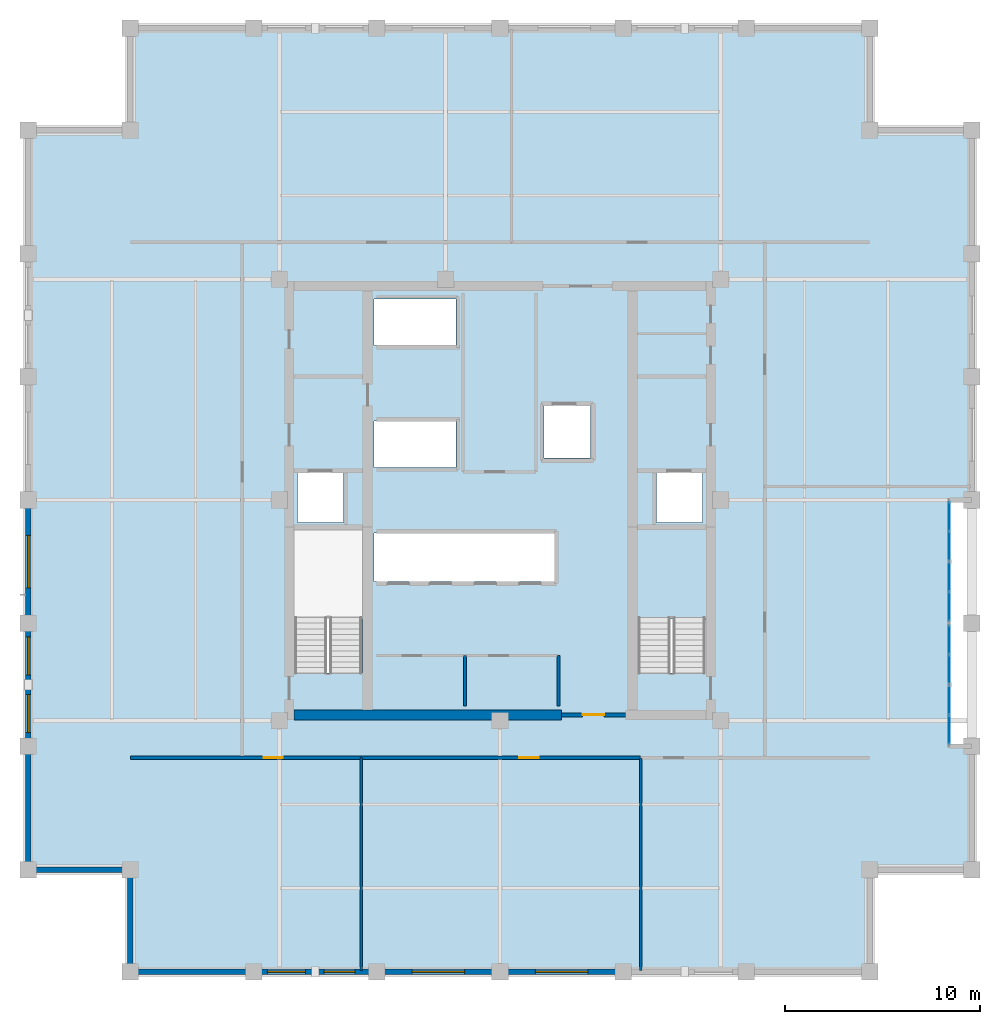
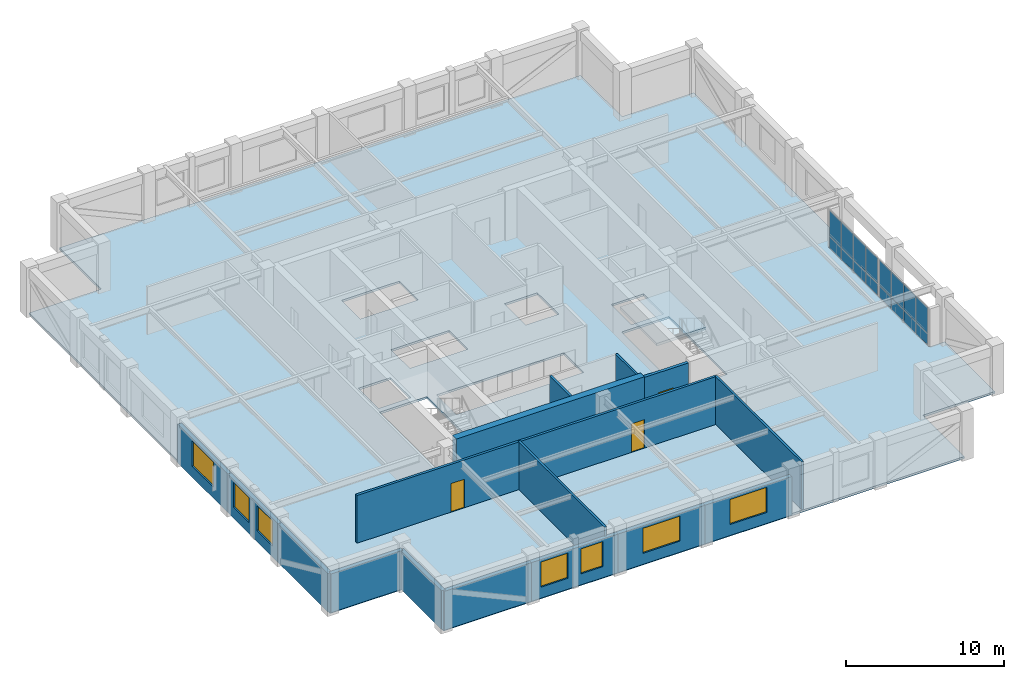
# One storey, part 5 of 10: 17 walls, 16 plates, 7 windows, 3 doors, 2 slabs, 10 openings, 3 elements without a shape of their own.
"""IFC4 building model written with IfcOpenShell, lengths in metres."""

from ifc_helpers import new_model, si_unit, direction, frame, frame_2d, origin, origin_2d, place, context, subcontext, project, spatial, polyline, rectangle, outline, extrude, material, layer, layer_set, type_object, element, fill, aggregate, save


model = new_model("IFC4")

# Units and contexts
model_context = context("Model", 3, precision=1e-05, world=origin(), true_north=direction((0.0, 1.0)))
body_context = subcontext(model_context, "Body", "Model", "MODEL_VIEW")
ifc_project = project(units=[si_unit("LENGTHUNIT", "METRE"), si_unit("AREAUNIT", "SQUARE_METRE"), si_unit("VOLUMEUNIT", "CUBIC_METRE"), si_unit("PLANEANGLEUNIT", "RADIAN"), si_unit("MASSUNIT", "GRAM", prefix="KILO")], contexts=[model_context])

# Site, building, storey
site_placement = place(None, origin())
site = spatial("IfcSite", under=ifc_project, at=site_placement, CompositionType="ELEMENT")
building_placement = place(site_placement, origin())
building = spatial("IfcBuilding", under=site, at=building_placement, Name="Nhamokura Convention Tower", CompositionType="ELEMENT")
storey_placement = place(building_placement, frame((0.0, 0.0, 236.949951171875)))
storey = spatial("IfcBuildingStorey", under=building, at=storey_placement, Name="L58", CompositionType="ELEMENT", Elevation=236.949951171875)

# Curtain wall, plates
ifc_material_1 = material(Name="Anodised bronze aluminium AA6063-T6", Category="aluminium")
ifc_layer_1 = layer(ifc_material_1, 0.155029296875)
ifc_layer_set_1 = layer_set([ifc_layer_1], Name="CWSystem_ScaleSlot_Zone3")
curtain_wall_type = type_object("IfcCurtainWallType", Name="CWSystem_ScaleSlot_Zone3", PredefinedType="NOTDEFINED", material=ifc_layer_set_1)
curtain_wall_1_placement = place(storey_placement, origin())
curtain_wall_1 = element("IfcCurtainWall", 1, at=curtain_wall_1_placement, inside=storey, type_object=curtain_wall_type, Name="L58 Curtain Wall ENV-L58-SLOT-E1", PredefinedType="NOTDEFINED")
ifc_material_2 = material(Name="Solar-control bronze low-E double glass", Category="glass")
ifc_layer_2 = layer(ifc_material_2, 0.0400390625)
ifc_layer_set_2 = layer_set([ifc_layer_2], Name="CWGlazedPanel_3")
plate_type = type_object("IfcPlateType", Name="CWGlazedPanel_3", PredefinedType="CURTAIN_PANEL", material=ifc_layer_set_2)
plate_1_placement = place(storey_placement, frame((55.10009765625, 24.813720703125, 0.06494140625), z_axis=(0.0, 0.0, 1.0), x_axis=(0.0, -1.0, 0.0)))
plate_1 = element("IfcPlate", 2, at=plate_1_placement, type_object=plate_type, Name="CW-05 panel 1.1", PredefinedType="CURTAIN_PANEL", context=body_context, shape_type="SweptSolid", body=[
    extrude(rectangle(XDim=1.455810546875, YDim=0.0400390625, at=origin_2d()), origin(), (0.0, 0.0, 1.0), 0.8525390625),
])
plate_2_placement = place(storey_placement, frame((55.10009765625, 24.813720703125, 0.982666015625), z_axis=(0.0, 0.0, 1.0), x_axis=(0.0, -1.0, 0.0)))
plate_2 = element("IfcPlate", 3, at=plate_2_placement, type_object=plate_type, Name="CW-05 panel 1.2", PredefinedType="CURTAIN_PANEL", context=body_context, shape_type="SweptSolid", body=[
    extrude(rectangle(XDim=1.455810546875, YDim=0.0400390625, at=origin_2d()), origin(), (0.0, 0.0, 1.0), 1.9375),
])
plate_3_placement = place(storey_placement, frame((55.10009765625, 23.276611328125, 0.06494140625), z_axis=(0.0, 0.0, 1.0), x_axis=(0.0, -1.0, 0.0)))
plate_3 = element("IfcPlate", 4, at=plate_3_placement, type_object=plate_type, Name="CW-05 panel 2.1", PredefinedType="CURTAIN_PANEL", context=body_context, shape_type="SweptSolid", body=[
    extrude(rectangle(XDim=1.48828125, YDim=0.0400390625, at=origin_2d()), origin(), (0.0, 0.0, 1.0), 0.8525390625),
])
plate_4_placement = place(storey_placement, frame((55.10009765625, 23.276611328125, 0.982666015625), z_axis=(0.0, 0.0, 1.0), x_axis=(0.0, -1.0, 0.0)))
plate_4 = element("IfcPlate", 5, at=plate_4_placement, type_object=plate_type, Name="CW-05 panel 2.2", PredefinedType="CURTAIN_PANEL", context=body_context, shape_type="SweptSolid", body=[
    extrude(rectangle(XDim=1.48828125, YDim=0.0400390625, at=origin_2d()), origin(), (0.0, 0.0, 1.0), 1.9375),
])
plate_5_placement = place(storey_placement, frame((55.10009765625, 21.723388671875, 0.06494140625), z_axis=(0.0, 0.0, 1.0), x_axis=(0.0, -1.0, 0.0)))
plate_5 = element("IfcPlate", 6, at=plate_5_placement, type_object=plate_type, Name="CW-05 panel 3.1", PredefinedType="CURTAIN_PANEL", context=body_context, shape_type="SweptSolid", body=[
    extrude(rectangle(XDim=1.48828125, YDim=0.0400390625, at=origin_2d()), origin(), (0.0, 0.0, 1.0), 0.8525390625),
])
plate_6_placement = place(storey_placement, frame((55.10009765625, 21.723388671875, 0.982666015625), z_axis=(0.0, 0.0, 1.0), x_axis=(0.0, -1.0, 0.0)))
plate_6 = element("IfcPlate", 7, at=plate_6_placement, type_object=plate_type, Name="CW-05 panel 3.2", PredefinedType="CURTAIN_PANEL", context=body_context, shape_type="SweptSolid", body=[
    extrude(rectangle(XDim=1.48828125, YDim=0.0400390625, at=origin_2d()), origin(), (0.0, 0.0, 1.0), 1.9375),
])
plate_7_placement = place(storey_placement, frame((55.10009765625, 20.186279296875, 0.06494140625), z_axis=(0.0, 0.0, 1.0), x_axis=(0.0, -1.0, 0.0)))
plate_7 = element("IfcPlate", 8, at=plate_7_placement, type_object=plate_type, Name="CW-05 panel 4.1", PredefinedType="CURTAIN_PANEL", context=body_context, shape_type="SweptSolid", body=[
    extrude(rectangle(XDim=1.455810546875, YDim=0.0400390625, at=origin_2d()), origin(), (0.0, 0.0, 1.0), 0.8525390625),
])
plate_8_placement = place(storey_placement, frame((55.10009765625, 20.186279296875, 0.982666015625), z_axis=(0.0, 0.0, 1.0), x_axis=(0.0, -1.0, 0.0)))
plate_8 = element("IfcPlate", 9, at=plate_8_placement, type_object=plate_type, Name="CW-05 panel 4.2", PredefinedType="CURTAIN_PANEL", context=body_context, shape_type="SweptSolid", body=[
    extrude(rectangle(XDim=1.455810546875, YDim=0.0400390625, at=origin_2d()), origin(), (0.0, 0.0, 1.0), 1.9375),
])
aggregate(curtain_wall_1, [plate_1, plate_2, plate_3, plate_4, plate_5, plate_6, plate_7, plate_8])

curtain_wall_2_placement = place(storey_placement, origin())
curtain_wall_2 = element("IfcCurtainWall", 10, at=curtain_wall_2_placement, inside=storey, type_object=curtain_wall_type, Name="L58 Curtain Wall ENV-L58-SLOT-E2", PredefinedType="NOTDEFINED")
plate_9_placement = place(storey_placement, frame((55.10009765625, 31.14697265625, 0.06494140625), z_axis=(0.0, 0.0, 1.0), x_axis=(0.0, -1.0, 0.0)))
plate_9 = element("IfcPlate", 11, at=plate_9_placement, type_object=plate_type, Name="CW-05 panel 1.1", PredefinedType="CURTAIN_PANEL", context=body_context, shape_type="SweptSolid", body=[
    extrude(rectangle(XDim=1.455810546875, YDim=0.0400390625, at=origin_2d()), origin(), (0.0, 0.0, 1.0), 0.8525390625),
])
plate_10_placement = place(storey_placement, frame((55.10009765625, 31.14697265625, 0.982666015625), z_axis=(0.0, 0.0, 1.0), x_axis=(0.0, -1.0, 0.0)))
plate_10 = element("IfcPlate", 12, at=plate_10_placement, type_object=plate_type, Name="CW-05 panel 1.2", PredefinedType="CURTAIN_PANEL", context=body_context, shape_type="SweptSolid", body=[
    extrude(rectangle(XDim=1.455810546875, YDim=0.0400390625, at=origin_2d()), origin(), (0.0, 0.0, 1.0), 1.9375),
])
plate_11_placement = place(storey_placement, frame((55.10009765625, 29.610107421875, 0.06494140625), z_axis=(0.0, 0.0, 1.0), x_axis=(0.0, -1.0, 0.0)))
plate_11 = element("IfcPlate", 13, at=plate_11_placement, type_object=plate_type, Name="CW-05 panel 2.1", PredefinedType="CURTAIN_PANEL", context=body_context, shape_type="SweptSolid", body=[
    extrude(rectangle(XDim=1.48828125, YDim=0.0400390625, at=origin_2d()), origin(), (0.0, 0.0, 1.0), 0.8525390625),
])
plate_12_placement = place(storey_placement, frame((55.10009765625, 29.610107421875, 0.982666015625), z_axis=(0.0, 0.0, 1.0), x_axis=(0.0, -1.0, 0.0)))
plate_12 = element("IfcPlate", 14, at=plate_12_placement, type_object=plate_type, Name="CW-05 panel 2.2", PredefinedType="CURTAIN_PANEL", context=body_context, shape_type="SweptSolid", body=[
    extrude(rectangle(XDim=1.48828125, YDim=0.0400390625, at=origin_2d()), origin(), (0.0, 0.0, 1.0), 1.9375),
])
plate_13_placement = place(storey_placement, frame((55.10009765625, 28.056640625, 0.06494140625), z_axis=(0.0, 0.0, 1.0), x_axis=(0.0, -1.0, 0.0)))
plate_13 = element("IfcPlate", 15, at=plate_13_placement, type_object=plate_type, Name="CW-05 panel 3.1", PredefinedType="CURTAIN_PANEL", context=body_context, shape_type="SweptSolid", body=[
    extrude(rectangle(XDim=1.48828125, YDim=0.0400390625, at=origin_2d()), origin(), (0.0, 0.0, 1.0), 0.8525390625),
])
plate_14_placement = place(storey_placement, frame((55.10009765625, 28.056640625, 0.982666015625), z_axis=(0.0, 0.0, 1.0), x_axis=(0.0, -1.0, 0.0)))
plate_14 = element("IfcPlate", 16, at=plate_14_placement, type_object=plate_type, Name="CW-05 panel 3.2", PredefinedType="CURTAIN_PANEL", context=body_context, shape_type="SweptSolid", body=[
    extrude(rectangle(XDim=1.48828125, YDim=0.0400390625, at=origin_2d()), origin(), (0.0, 0.0, 1.0), 1.9375),
])
plate_15_placement = place(storey_placement, frame((55.10009765625, 26.51953125, 0.06494140625), z_axis=(0.0, 0.0, 1.0), x_axis=(0.0, -1.0, 0.0)))
plate_15 = element("IfcPlate", 17, at=plate_15_placement, type_object=plate_type, Name="CW-05 panel 4.1", PredefinedType="CURTAIN_PANEL", context=body_context, shape_type="SweptSolid", body=[
    extrude(rectangle(XDim=1.455810546875, YDim=0.0400390625, at=origin_2d()), origin(), (0.0, 0.0, 1.0), 0.8525390625),
])
plate_16_placement = place(storey_placement, frame((55.10009765625, 26.51953125, 0.982666015625), z_axis=(0.0, 0.0, 1.0), x_axis=(0.0, -1.0, 0.0)))
plate_16 = element("IfcPlate", 18, at=plate_16_placement, type_object=plate_type, Name="CW-05 panel 4.2", PredefinedType="CURTAIN_PANEL", context=body_context, shape_type="SweptSolid", body=[
    extrude(rectangle(XDim=1.455810546875, YDim=0.0400390625, at=origin_2d()), origin(), (0.0, 0.0, 1.0), 1.9375),
])
aggregate(curtain_wall_2, [plate_9, plate_10, plate_11, plate_12, plate_13, plate_14, plate_15, plate_16])

# Slab
ifc_material_3 = material(Name="Concrete C40/50", Category="concrete")
ifc_layer_3 = layer(ifc_material_3, 0.1650390625)
ifc_layer_set_3 = layer_set([ifc_layer_3], Name="OfficeFloorSlab_165")
slab_type_1 = type_object("IfcSlabType", Name="OfficeFloorSlab_165", PredefinedType="FLOOR", material=ifc_layer_set_3)
slab_1_placement = place(storey_placement, frame((0.0, 0.0, -0.1650390625)))
element("IfcSlab", 19, at=slab_1_placement, inside=storey, type_object=slab_type_1, Name="L58 Structural Floor Slab", PredefinedType="FLOOR", context=body_context, shape_type="SweptSolid", body=[
    extrude(outline(polyline([(13.0, 7.75), (51.0, 7.75), (51.0, 13.0), (56.25, 13.0), (56.25, 19.333251953125), (55.10009765625, 19.333251953125), (55.10009765625, 32.0), (56.25, 32.0), (56.25, 51.0), (51.0, 51.0), (51.0, 56.25), (13.0, 56.25), (13.0, 51.0), (7.75, 51.0), (7.75, 13.0), (13.0, 13.0), (13.0, 7.75)]), holes=[polyline([(24.89990234375, 23.10009765625), (24.89990234375, 30.449951171875), (21.449951171875, 30.449951171875), (21.449951171875, 23.10009765625), (24.89990234375, 23.10009765625)]), polyline([(42.550048828125, 23.10009765625), (42.550048828125, 30.449951171875), (39.10009765625, 30.449951171875), (39.10009765625, 23.10009765625), (42.550048828125, 23.10009765625)]), polyline([(21.60009765625, 30.85009765625), (23.949951171875, 30.85009765625), (23.949951171875, 33.39990234375), (21.60009765625, 33.39990234375), (21.60009765625, 30.85009765625)]), polyline([(40.050048828125, 30.85009765625), (42.39990234375, 30.85009765625), (42.39990234375, 33.39990234375), (40.050048828125, 33.39990234375), (40.050048828125, 30.85009765625)]), polyline([(34.25, 34.14990234375), (36.64990234375, 34.14990234375), (36.64990234375, 36.85009765625), (34.25, 36.85009765625), (34.25, 34.14990234375)]), polyline([(25.52001953125, 27.800048828125), (34.800048828125, 27.800048828125), (34.800048828125, 30.300048828125), (25.52001953125, 30.300048828125), (25.52001953125, 27.800048828125)]), polyline([(25.52001953125, 33.679931640625), (29.75, 33.679931640625), (29.75, 36.050048828125), (25.52001953125, 36.050048828125), (25.52001953125, 33.679931640625)]), polyline([(25.52001953125, 39.949951171875), (29.75, 39.949951171875), (29.75, 42.320068359375), (25.52001953125, 42.320068359375), (25.52001953125, 39.949951171875)])]), origin(), (0.0, 0.0, 1.0), 0.1650390625),
])

# Stair, slab
ifc_material_4 = material(Name="Concrete C40/50", Category="concrete")
stair_type = type_object("IfcStairType", Name="TowerCoreStair_1650", PredefinedType="HALF_TURN_STAIR", material=ifc_material_4)
stair_placement = place(storey_placement, origin())
stair = element("IfcStair", 20, at=stair_placement, inside=storey, type_object=stair_type, Name="L58 East Core Smokeproof Stair ST-02", PredefinedType="HALF_TURN_STAIR")
ifc_material_5 = material(Name="Concrete C40/50", Category="concrete")
ifc_layer_4 = layer(ifc_material_5, 0.199951171875)
ifc_layer_set_4 = layer_set([ifc_layer_4], Name="StairLandingSlab_200")
slab_type_2 = type_object("IfcSlabType", Name="StairLandingSlab_200", PredefinedType="LANDING", material=ifc_layer_set_4)
slab_2_placement = place(storey_placement, frame((0.0, 0.0, 1.72509765625)))
slab_2 = element("IfcSlab", 21, at=slab_2_placement, type_object=slab_type_2, Name="ST-02 landing 1", PredefinedType="LANDING", context=body_context, shape_type="SweptSolid", body=[
    extrude(outline(polyline([(42.6298828125, 25.8701171875), (42.6298828125, 30.530029296875), (39.02001953125, 30.530029296875), (39.02001953125, 25.8701171875), (42.6298828125, 25.8701171875)])), origin(), (0.0, 0.0, 1.0), 0.199951171875),
])
aggregate(stair, [slab_2])

# Wall
ifc_material_6 = material(Name="Bronze-pigmented precast concrete C45/55", Category="concrete")
ifc_layer_5 = layer(ifc_material_6, 0.280029296875)
ifc_layer_set_5 = layer_set([ifc_layer_5], Name="BronzePrecastSpandrel_280")
wall_type_1 = type_object("IfcWallType", Name="BronzePrecastSpandrel_280", PredefinedType="USERDEFINED", material=ifc_layer_set_5)
wall_1_placement = place(storey_placement, frame((19.333251953125, 7.75, 0.0), z_axis=(0.0, 0.0, 1.0), x_axis=(-1.0, 0.0, 0.0)))
element("IfcWall", 22, at=wall_1_placement, inside=storey, type_object=wall_type_1, Name="L58 Braced-Bay Precast Wall SOUTH 0", ObjectType="SPANDREL_WALL", PredefinedType="USERDEFINED", context=body_context, shape_type="SweptSolid", body=[
    extrude(rectangle(XDim=6.333251953125, YDim=0.280029296875, at=frame_2d((3.16650390625, 0.0))), origin(), (0.0, 0.0, 1.0), 2.985107421875),
])

# Wall, openings, windows
wall_2_placement = place(storey_placement, frame((25.666748046875, 7.75, 0.0), z_axis=(0.0, 0.0, 1.0), x_axis=(-1.0, 0.0, 0.0)))
wall_2 = element("IfcWall", 23, at=wall_2_placement, inside=storey, type_object=wall_type_1, Name="L58 Masonry-Frame Wall SOUTH 1", ObjectType="SPANDREL_WALL", PredefinedType="USERDEFINED", context=body_context, shape_type="SweptSolid", body=[
    extrude(rectangle(XDim=6.33349609375, YDim=0.280029296875, at=frame_2d((3.166748046875, 0.0))), origin(), (0.0, 0.0, 1.0), 2.985107421875),
])
opening_1_placement = place(wall_2_placement, frame((1.120849609375, 0.0, 0.85009765625)))
opening_1 = element("IfcOpeningElement", 24, at=opening_1_placement, cuts=wall_2, Name="Opening W-11", PredefinedType="OPENING", context=body_context, shape_type="SweptSolid", body=[
    extrude(rectangle(XDim=1.60009765625, YDim=1.93505859375, at=frame_2d((0.800048828125, 0.967529296875))), frame((0.0, 0.14990234375, 0.0), z_axis=(0.0, -1.0, 0.0), x_axis=(1.0, 0.0, 0.0)), (0.0, 0.0, 1.0), 0.300048828125),
])
opening_2_placement = place(wall_2_placement, frame((3.675048828125, 0.0, 0.85009765625)))
opening_2 = element("IfcOpeningElement", 25, at=opening_2_placement, cuts=wall_2, Name="Opening W-08", PredefinedType="OPENING", context=body_context, shape_type="SweptSolid", body=[
    extrude(rectangle(XDim=1.949951171875, YDim=1.93505859375, at=frame_2d((0.97509765625, 0.967529296875))), frame((0.0, 0.14990234375, 0.0), z_axis=(0.0, -1.0, 0.0), x_axis=(1.0, 0.0, 0.0)), (0.0, 0.0, 1.0), 0.300048828125),
])
ifc_material_7 = material(Name="Solar-control bronze low-E double glass", Category="glass")
window_type_1 = type_object("IfcWindowType", Name="NotchCornerWindow_1600", PartitioningType="SINGLE_PANEL", PredefinedType="WINDOW", material=ifc_material_7)
window_1_placement = place(opening_1_placement, origin())
window_1 = element("IfcWindow", 26, at=window_1_placement, inside=storey, type_object=window_type_1, Name="L58 Facade Window SOUTH 1-1", OverallHeight=1.93505859375, OverallWidth=1.60009765625, PartitioningType="SINGLE_PANEL", PredefinedType="WINDOW", context=body_context, shape_type="SweptSolid", body=[
    extrude(rectangle(XDim=1.60009765625, YDim=1.93505859375, at=frame_2d((0.800048828125, 0.967529296875))), frame((0.0, 0.030029296875, 0.0), z_axis=(0.0, -1.0, 0.0), x_axis=(1.0, 0.0, 0.0)), (0.0, 0.0, 1.0), 0.06005859375),
])
fill(opening_1, window_1)
ifc_material_8 = material(Name="Solar-control bronze low-E double glass", Category="glass")
window_type_2 = type_object("IfcWindowType", Name="OfficeModuleWindow_Z3_1950", PartitioningType="SINGLE_PANEL", PredefinedType="WINDOW", material=ifc_material_8)
window_2_placement = place(opening_2_placement, origin())
window_2 = element("IfcWindow", 27, at=window_2_placement, inside=storey, type_object=window_type_2, Name="L58 Facade Window SOUTH 1-2", OverallHeight=1.93505859375, OverallWidth=1.949951171875, PartitioningType="SINGLE_PANEL", PredefinedType="WINDOW", context=body_context, shape_type="SweptSolid", body=[
    extrude(rectangle(XDim=1.949951171875, YDim=1.93505859375, at=frame_2d((0.97509765625, 0.967529296875))), frame((0.0, 0.030029296875, 0.0), z_axis=(0.0, -1.0, 0.0), x_axis=(1.0, 0.0, 0.0)), (0.0, 0.0, 1.0), 0.06005859375),
])
fill(opening_2, window_2)

# Wall, opening, window
wall_3_placement = place(storey_placement, frame((32.0, 7.75, 0.0), z_axis=(0.0, 0.0, 1.0), x_axis=(-1.0, 0.0, 0.0)))
wall_3 = element("IfcWall", 28, at=wall_3_placement, inside=storey, type_object=wall_type_1, Name="L58 Masonry-Frame Wall SOUTH 2", ObjectType="SPANDREL_WALL", PredefinedType="USERDEFINED", context=body_context, shape_type="SweptSolid", body=[
    extrude(rectangle(XDim=6.333251953125, YDim=0.280029296875, at=frame_2d((3.16650390625, 0.0))), origin(), (0.0, 0.0, 1.0), 2.985107421875),
])
opening_3_placement = place(wall_3_placement, frame((1.816650390625, 0.0, 0.85009765625)))
opening_3 = element("IfcOpeningElement", 29, at=opening_3_placement, cuts=wall_3, Name="Opening W-07", PredefinedType="OPENING", context=body_context, shape_type="SweptSolid", body=[
    extrude(rectangle(XDim=2.699951171875, YDim=1.93505859375, at=frame_2d((1.35009765625, 0.967529296875))), frame((0.0, 0.14990234375, 0.0), z_axis=(0.0, -1.0, 0.0), x_axis=(1.0, 0.0, 0.0)), (0.0, 0.0, 1.0), 0.300048828125),
])
ifc_material_9 = material(Name="Solar-control bronze low-E double glass", Category="glass")
window_type_3 = type_object("IfcWindowType", Name="OfficeModuleWindow_Z3_2700", PartitioningType="DOUBLE_PANEL_VERTICAL", PredefinedType="WINDOW", material=ifc_material_9)
window_3_placement = place(opening_3_placement, origin())
window_3 = element("IfcWindow", 30, at=window_3_placement, inside=storey, type_object=window_type_3, Name="L58 Facade Window SOUTH 2", OverallHeight=1.93505859375, OverallWidth=2.699951171875, PartitioningType="SINGLE_PANEL", PredefinedType="WINDOW", context=body_context, shape_type="SweptSolid", body=[
    extrude(rectangle(XDim=2.699951171875, YDim=1.93505859375, at=frame_2d((1.35009765625, 0.967529296875))), frame((0.0, 0.030029296875, 0.0), z_axis=(0.0, -1.0, 0.0), x_axis=(1.0, 0.0, 0.0)), (0.0, 0.0, 1.0), 0.06005859375),
])
fill(opening_3, window_3)

wall_4_placement = place(storey_placement, frame((38.333251953125, 7.75, 0.0), z_axis=(0.0, 0.0, 1.0), x_axis=(-1.0, 0.0, 0.0)))
wall_4 = element("IfcWall", 31, at=wall_4_placement, inside=storey, type_object=wall_type_1, Name="L58 Masonry-Frame Wall SOUTH 3", ObjectType="SPANDREL_WALL", PredefinedType="USERDEFINED", context=body_context, shape_type="SweptSolid", body=[
    extrude(rectangle(XDim=6.333251953125, YDim=0.280029296875, at=frame_2d((3.16650390625, 0.0))), origin(), (0.0, 0.0, 1.0), 2.985107421875),
])
opening_4_placement = place(wall_4_placement, frame((1.816650390625, 0.0, 0.85009765625)))
opening_4 = element("IfcOpeningElement", 32, at=opening_4_placement, cuts=wall_4, Name="Opening W-07", PredefinedType="OPENING", context=body_context, shape_type="SweptSolid", body=[
    extrude(rectangle(XDim=2.699951171875, YDim=1.93505859375, at=frame_2d((1.35009765625, 0.967529296875))), frame((0.0, 0.14990234375, 0.0), z_axis=(0.0, -1.0, 0.0), x_axis=(1.0, 0.0, 0.0)), (0.0, 0.0, 1.0), 0.300048828125),
])
window_4_placement = place(opening_4_placement, origin())
window_4 = element("IfcWindow", 33, at=window_4_placement, inside=storey, type_object=window_type_3, Name="L58 Facade Window SOUTH 3", OverallHeight=1.93505859375, OverallWidth=2.699951171875, PartitioningType="SINGLE_PANEL", PredefinedType="WINDOW", context=body_context, shape_type="SweptSolid", body=[
    extrude(rectangle(XDim=2.699951171875, YDim=1.93505859375, at=frame_2d((1.35009765625, 0.967529296875))), frame((0.0, 0.030029296875, 0.0), z_axis=(0.0, -1.0, 0.0), x_axis=(1.0, 0.0, 0.0)), (0.0, 0.0, 1.0), 0.06005859375),
])
fill(opening_4, window_4)

# Wall
wall_5_placement = place(storey_placement, frame((7.75, 13.0, 0.0), z_axis=(0.0, 0.0, 1.0), x_axis=(0.0, 1.0, 0.0)))
element("IfcWall", 34, at=wall_5_placement, inside=storey, type_object=wall_type_1, Name="L58 Braced-Bay Precast Wall WEST 0", ObjectType="SPANDREL_WALL", PredefinedType="USERDEFINED", context=body_context, shape_type="SweptSolid", body=[
    extrude(rectangle(XDim=6.333251953125, YDim=0.280029296875, at=frame_2d((3.16650390625, 0.0))), origin(), (0.0, 0.0, 1.0), 2.985107421875),
])

# Wall, openings, windows
wall_6_placement = place(storey_placement, frame((7.75, 19.333251953125, 0.0), z_axis=(0.0, 0.0, 1.0), x_axis=(0.0, 1.0, 0.0)))
wall_6 = element("IfcWall", 35, at=wall_6_placement, inside=storey, type_object=wall_type_1, Name="L58 Masonry-Frame Wall WEST 1", ObjectType="SPANDREL_WALL", PredefinedType="USERDEFINED", context=body_context, shape_type="SweptSolid", body=[
    extrude(rectangle(XDim=6.33349609375, YDim=0.280029296875, at=frame_2d((3.166748046875, 0.0))), origin(), (0.0, 0.0, 1.0), 2.985107421875),
])
opening_5_placement = place(wall_6_placement, frame((0.708251953125, 0.0, 0.85009765625)))
opening_5 = element("IfcOpeningElement", 36, at=opening_5_placement, cuts=wall_6, Name="Opening W-08", PredefinedType="OPENING", context=body_context, shape_type="SweptSolid", body=[
    extrude(rectangle(XDim=1.949951171875, YDim=1.93505859375, at=frame_2d((0.97509765625, 0.967529296875))), frame((0.0, 0.14990234375, 0.0), z_axis=(0.0, -1.0, 0.0), x_axis=(1.0, 0.0, 0.0)), (0.0, 0.0, 1.0), 0.300048828125),
])
opening_6_placement = place(wall_6_placement, frame((3.675048828125, 0.0, 0.85009765625)))
opening_6 = element("IfcOpeningElement", 37, at=opening_6_placement, cuts=wall_6, Name="Opening W-08", PredefinedType="OPENING", context=body_context, shape_type="SweptSolid", body=[
    extrude(rectangle(XDim=1.949951171875, YDim=1.93505859375, at=frame_2d((0.97509765625, 0.967529296875))), frame((0.0, 0.14990234375, 0.0), z_axis=(0.0, -1.0, 0.0), x_axis=(1.0, 0.0, 0.0)), (0.0, 0.0, 1.0), 0.300048828125),
])
window_5_placement = place(opening_5_placement, origin())
window_5 = element("IfcWindow", 38, at=window_5_placement, inside=storey, type_object=window_type_2, Name="L58 Facade Window WEST 1-1", OverallHeight=1.93505859375, OverallWidth=1.949951171875, PartitioningType="SINGLE_PANEL", PredefinedType="WINDOW", context=body_context, shape_type="SweptSolid", body=[
    extrude(rectangle(XDim=1.949951171875, YDim=1.93505859375, at=frame_2d((0.97509765625, 0.967529296875))), frame((0.0, 0.030029296875, 0.0), z_axis=(0.0, -1.0, 0.0), x_axis=(1.0, 0.0, 0.0)), (0.0, 0.0, 1.0), 0.06005859375),
])
fill(opening_5, window_5)
window_6_placement = place(opening_6_placement, origin())
window_6 = element("IfcWindow", 39, at=window_6_placement, inside=storey, type_object=window_type_2, Name="L58 Facade Window WEST 1-2", OverallHeight=1.93505859375, OverallWidth=1.949951171875, PartitioningType="SINGLE_PANEL", PredefinedType="WINDOW", context=body_context, shape_type="SweptSolid", body=[
    extrude(rectangle(XDim=1.949951171875, YDim=1.93505859375, at=frame_2d((0.97509765625, 0.967529296875))), frame((0.0, 0.030029296875, 0.0), z_axis=(0.0, -1.0, 0.0), x_axis=(1.0, 0.0, 0.0)), (0.0, 0.0, 1.0), 0.06005859375),
])
fill(opening_6, window_6)

# Wall, opening, window
wall_7_placement = place(storey_placement, frame((7.75, 25.666748046875, 0.0), z_axis=(0.0, 0.0, 1.0), x_axis=(0.0, 1.0, 0.0)))
wall_7 = element("IfcWall", 40, at=wall_7_placement, inside=storey, type_object=wall_type_1, Name="L58 Masonry-Frame Wall WEST 2", ObjectType="SPANDREL_WALL", PredefinedType="USERDEFINED", context=body_context, shape_type="SweptSolid", body=[
    extrude(rectangle(XDim=6.333251953125, YDim=0.280029296875, at=frame_2d((3.16650390625, 0.0))), origin(), (0.0, 0.0, 1.0), 2.985107421875),
])
opening_7_placement = place(wall_7_placement, frame((1.816650390625, 0.0, 0.85009765625)))
opening_7 = element("IfcOpeningElement", 41, at=opening_7_placement, cuts=wall_7, Name="Opening W-07", PredefinedType="OPENING", context=body_context, shape_type="SweptSolid", body=[
    extrude(rectangle(XDim=2.699951171875, YDim=1.93505859375, at=frame_2d((1.35009765625, 0.967529296875))), frame((0.0, 0.14990234375, 0.0), z_axis=(0.0, -1.0, 0.0), x_axis=(1.0, 0.0, 0.0)), (0.0, 0.0, 1.0), 0.300048828125),
])
window_7_placement = place(opening_7_placement, origin())
window_7 = element("IfcWindow", 42, at=window_7_placement, inside=storey, type_object=window_type_3, Name="L58 Facade Window WEST 2", OverallHeight=1.93505859375, OverallWidth=2.699951171875, PartitioningType="SINGLE_PANEL", PredefinedType="WINDOW", context=body_context, shape_type="SweptSolid", body=[
    extrude(rectangle(XDim=2.699951171875, YDim=1.93505859375, at=frame_2d((1.35009765625, 0.967529296875))), frame((0.0, 0.030029296875, 0.0), z_axis=(0.0, -1.0, 0.0), x_axis=(1.0, 0.0, 0.0)), (0.0, 0.0, 1.0), 0.06005859375),
])
fill(opening_7, window_7)

# Walls
for number, where, z_axis, x_axis, name in (
    (43, (13.0, 7.75, 0.0), (0.0, 0.0, 1.0), (0.0, 1.0, 0.0), "L58 Notched Corner Wall SW1"),
    (44, (13.0, 13.0, 0.0), (0.0, 0.0, 1.0), (-1.0, 0.0, 0.0), "L58 Notched Corner Wall SW2"),
):
    element("IfcWall", number, at=place(storey_placement, frame(where, z_axis=z_axis, x_axis=x_axis)), inside=storey, type_object=wall_type_1, Name=name, ObjectType="SPANDREL_WALL", PredefinedType="USERDEFINED", context=body_context, shape_type="SweptSolid", body=[
        extrude(rectangle(XDim=5.25, YDim=0.280029296875, at=frame_2d((2.625, 0.0))), origin(), (0.0, 0.0, 1.0), 2.985107421875),
    ])
ifc_material_10 = material(Name="Concrete C60/75", Category="concrete")
ifc_layer_6 = layer(ifc_material_10, 0.5)
ifc_layer_set_6 = layer_set([ifc_layer_6], Name="CoreShearWall_500")
wall_type_2 = type_object("IfcWallType", Name="CoreShearWall_500", PredefinedType="SHEAR", material=ifc_layer_set_6)
wall_8_placement = place(storey_placement, frame((21.409912109375, 20.949951171875, 0.0), z_axis=(0.0, 0.0, 1.0), x_axis=(1.0, 0.0, 0.0)))
element("IfcWall", 45, at=wall_8_placement, inside=storey, type_object=wall_type_2, Name="L58 Core Shear Wall CW-S1", PredefinedType="SHEAR", context=body_context, shape_type="SweptSolid", body=[
    extrude(rectangle(XDim=13.739990234375, YDim=0.5, at=frame_2d((6.8701171875, 0.0))), origin(), (0.0, 0.0, 1.0), 3.85009765625),
])

# Wall, opening, door
ifc_material_11 = material(Name="Fire-rated gypsum and masonry partition", Category="masonry")
ifc_layer_7 = layer(ifc_material_11, 0.179931640625)
ifc_layer_set_7 = layer_set([ifc_layer_7], Name="CorridorRatedWall_180")
wall_type_3 = type_object("IfcWallType", Name="CorridorRatedWall_180", PredefinedType="STANDARD", material=ifc_layer_set_7)
wall_9_placement = place(storey_placement, frame((13.0, 18.75, 0.0), z_axis=(0.0, 0.0, 1.0), x_axis=(1.0, 0.0, 0.0)))
wall_9 = element("IfcWall", 46, at=wall_9_placement, inside=storey, type_object=wall_type_3, Name="L58 Wall INT-L58-CW-S00", PredefinedType="STANDARD", context=body_context, shape_type="SweptSolid", body=[
    extrude(rectangle(XDim=11.86669921875, YDim=0.179931640625, at=frame_2d((5.933349609375, 0.0))), origin(), (0.0, 0.0, 1.0), 3.68505859375),
])
opening_8_placement = place(wall_9_placement, frame((6.8583984375, 0.0, 0.0)))
opening_8 = element("IfcOpeningElement", 47, at=opening_8_placement, cuts=wall_9, Name="Opening D-08", PredefinedType="OPENING", context=body_context, shape_type="SweptSolid", body=[
    extrude(rectangle(XDim=0.97998046875, YDim=2.199951171875, at=frame_2d((0.489990234375, 1.10009765625))), frame((0.0, 0.099853515625, 0.0), z_axis=(0.0, -1.0, 0.0), x_axis=(1.0, 0.0, 0.0)), (0.0, 0.0, 1.0), 0.199951171875),
])
ifc_material_12 = material(Name="Solid oak hardwood", Category="wood")
door_type_1 = type_object("IfcDoorType", Name="OfficeEntryDoor_980", OperationType="NOTDEFINED", PredefinedType="DOOR", material=ifc_material_12)
door_1_placement = place(opening_8_placement, origin())
door_1 = element("IfcDoor", 48, at=door_1_placement, inside=storey, type_object=door_type_1, Name="L58 Conference Hall S01 Door", OperationType="SINGLE_SWING_LEFT", OverallHeight=2.199951171875, OverallWidth=0.97998046875, PredefinedType="DOOR", context=body_context, shape_type="SweptSolid", body=[
    extrude(rectangle(XDim=0.97998046875, YDim=2.199951171875, at=frame_2d((0.489990234375, 1.10009765625))), frame((0.0, 0.02490234375, 0.0), z_axis=(0.0, -1.0, 0.0), x_axis=(1.0, 0.0, 0.0)), (0.0, 0.0, 1.0), 0.050048828125),
])
fill(opening_8, door_1)

wall_10_placement = place(storey_placement, frame((24.86669921875, 18.75, 0.0), z_axis=(0.0, 0.0, 1.0), x_axis=(1.0, 0.0, 0.0)))
wall_10 = element("IfcWall", 49, at=wall_10_placement, inside=storey, type_object=wall_type_3, Name="L58 Wall INT-L58-CW-S01", PredefinedType="STANDARD", context=body_context, shape_type="SweptSolid", body=[
    extrude(rectangle(XDim=14.36669921875, YDim=0.179931640625, at=frame_2d((7.183349609375, 0.0))), origin(), (0.0, 0.0, 1.0), 3.68505859375),
])
opening_9_placement = place(wall_10_placement, frame((8.13330078125, 0.0, 0.0)))
opening_9 = element("IfcOpeningElement", 50, at=opening_9_placement, cuts=wall_10, Name="Opening D-08", PredefinedType="OPENING", context=body_context, shape_type="SweptSolid", body=[
    extrude(rectangle(XDim=0.97998046875, YDim=2.199951171875, at=frame_2d((0.489990234375, 1.10009765625))), frame((0.0, 0.099853515625, 0.0), z_axis=(0.0, -1.0, 0.0), x_axis=(1.0, 0.0, 0.0)), (0.0, 0.0, 1.0), 0.199951171875),
])
door_2_placement = place(opening_9_placement, origin())
door_2 = element("IfcDoor", 51, at=door_2_placement, inside=storey, type_object=door_type_1, Name="L58 Pre-Function Lounge S02 Door", OperationType="SINGLE_SWING_RIGHT", OverallHeight=2.199951171875, OverallWidth=0.97998046875, PredefinedType="DOOR", context=body_context, shape_type="SweptSolid", body=[
    extrude(rectangle(XDim=0.97998046875, YDim=2.199951171875, at=frame_2d((0.489990234375, 1.10009765625))), frame((0.0, 0.02490234375, 0.0), z_axis=(0.0, -1.0, 0.0), x_axis=(1.0, 0.0, 0.0)), (0.0, 0.0, 1.0), 0.050048828125),
])
fill(opening_9, door_2)

ifc_material_13 = material(Name="Autoclaved concrete blockwork", Category="masonry")
ifc_layer_8 = layer(ifc_material_13, 0.219970703125)
ifc_layer_set_8 = layer_set([ifc_layer_8], Name="FireLobbyWall_220")
wall_type_4 = type_object("IfcWallType", Name="FireLobbyWall_220", PredefinedType="STANDARD", material=ifc_layer_set_8)
wall_11_placement = place(storey_placement, frame((35.14990234375, 20.949951171875, 0.0), z_axis=(0.0, 0.0, 1.0), x_axis=(1.0, 0.0, 0.0)))
wall_11 = element("IfcWall", 52, at=wall_11_placement, inside=storey, type_object=wall_type_4, Name="L58 Wall INT-L58-SPORT-S", PredefinedType="STANDARD", context=body_context, shape_type="SweptSolid", body=[
    extrude(rectangle(XDim=3.300048828125, YDim=0.219970703125, at=frame_2d((1.64990234375, 0.0))), origin(), (0.0, 0.0, 1.0), 3.68505859375),
])
opening_10_placement = place(wall_11_placement, frame((1.10009765625, 0.0, 0.0)))
opening_10 = element("IfcOpeningElement", 53, at=opening_10_placement, cuts=wall_11, Name="Opening D-05", PredefinedType="OPENING", context=body_context, shape_type="SweptSolid", body=[
    extrude(rectangle(XDim=1.10009765625, YDim=2.14990234375, at=frame_2d((0.550048828125, 1.074951171875))), frame((0.0, 0.119873046875, 0.0), z_axis=(0.0, -1.0, 0.0), x_axis=(1.0, 0.0, 0.0)), (0.0, 0.0, 1.0), 0.239990234375),
])
ifc_material_14 = material(Name="Fire-rated steel door", Category="steel")
door_type_2 = type_object("IfcDoorType", Name="FireLobbyDoor_1100", OperationType="NOTDEFINED", PredefinedType="DOOR", material=ifc_material_14)
door_3_placement = place(opening_10_placement, origin())
door_3 = element("IfcDoor", 54, at=door_3_placement, inside=storey, type_object=door_type_2, Name="L58 South Core Lobby Portal Door", OperationType="SINGLE_SWING_LEFT", OverallHeight=2.14990234375, OverallWidth=1.10009765625, PredefinedType="DOOR", context=body_context, shape_type="SweptSolid", body=[
    extrude(rectangle(XDim=1.10009765625, YDim=2.14990234375, at=frame_2d((0.550048828125, 1.074951171875))), frame((0.0, 0.02490234375, 0.0), z_axis=(0.0, -1.0, 0.0), x_axis=(1.0, 0.0, 0.0)), (0.0, 0.0, 1.0), 0.050048828125),
])
fill(opening_10, door_3)

# Walls
ifc_material_15 = material(Name="Acoustic gypsum stud partition", Category="masonry")
ifc_layer_9 = layer(ifc_material_15, 0.14990234375)
ifc_layer_set_9 = layer_set([ifc_layer_9], Name="InteriorPartition_150")
wall_type_5 = type_object("IfcWallType", Name="InteriorPartition_150", PredefinedType="STANDARD", material=ifc_layer_set_9)
for number, where, z_axis, x_axis, name in (
    (55, (30.199951171875, 21.39990234375, 0.0), (0.0, 0.0, 1.0), (0.0, 1.0, 0.0), "L58 Wall INT-L58-B1R-M"),
    (56, (35.0, 21.39990234375, 0.0), (0.0, 0.0, 1.0), (0.0, 1.0, 0.0), "L58 Wall INT-L58-B1R-E"),
):
    element("IfcWall", number, at=place(storey_placement, frame(where, z_axis=z_axis, x_axis=x_axis)), inside=storey, type_object=wall_type_5, Name=name, PredefinedType="STANDARD", context=body_context, shape_type="SweptSolid", body=[
        extrude(rectangle(XDim=2.60009765625, YDim=0.14990234375, at=frame_2d((1.300048828125, 0.0))), origin(), (0.0, 0.0, 1.0), 3.68505859375),
    ])
for number, where, z_axis, x_axis, name in (
    (57, (24.86669921875, 7.81005859375, 0.0), (0.0, 0.0, 1.0), (0.0, 1.0, 0.0), "L58 Wall INT-L58-RW-S01"),
    (58, (39.2333984375, 7.81005859375, 0.0), (0.0, 0.0, 1.0), (0.0, 1.0, 0.0), "L58 Wall INT-L58-RW-S02"),
):
    element("IfcWall", number, at=place(storey_placement, frame(where, z_axis=z_axis, x_axis=x_axis)), inside=storey, type_object=wall_type_5, Name=name, PredefinedType="STANDARD", context=body_context, shape_type="SweptSolid", body=[
        extrude(rectangle(XDim=10.93994140625, YDim=0.14990234375, at=frame_2d((5.469970703125, 0.0))), origin(), (0.0, 0.0, 1.0), 3.68505859375),
    ])

save(model, "model.ifc")
